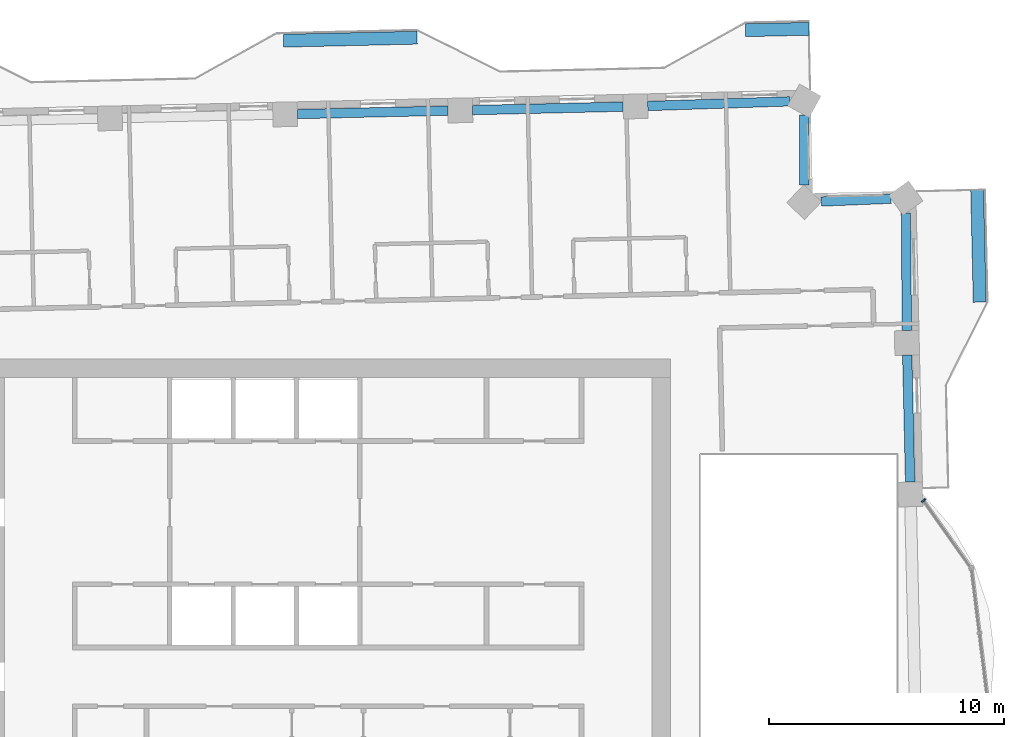
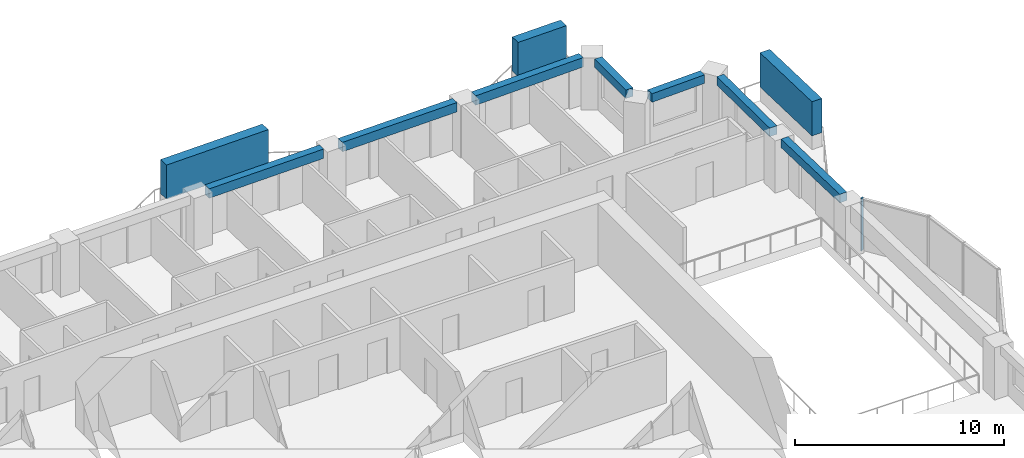
# One storey, part 4 of 17: 7 beams, 4 members, 1 element without a shape of its own.
"""IFC4 building model written with IfcOpenShell, lengths in metres."""

from ifc_helpers import new_model, si_unit, direction, frame, origin, origin_2d, place, context, subcontext, project, spatial, rectangle, extrude, material, material_profile, profile_set, type_object, element, aggregate, save


model = new_model("IFC4")

# Units and contexts
model_context = context("Model", 3, precision=1e-05, world=origin(), true_north=direction((0.0, 1.0)))
body_context = subcontext(model_context, "Body", "Model", "MODEL_VIEW")
ifc_project = project(units=[si_unit("LENGTHUNIT", "METRE"), si_unit("AREAUNIT", "SQUARE_METRE"), si_unit("VOLUMEUNIT", "CUBIC_METRE"), si_unit("PLANEANGLEUNIT", "RADIAN"), si_unit("MASSUNIT", "GRAM", prefix="KILO")], contexts=[model_context])

# Site, building, storey
site_placement = place(None, origin())
site = spatial("IfcSite", under=ifc_project, at=site_placement, CompositionType="ELEMENT")
building_placement = place(site_placement, origin())
building = spatial("IfcBuilding", under=site, at=building_placement, Name="Mangrove Gate Tower", CompositionType="ELEMENT")
storey_placement = place(building_placement, frame((0.0, 0.0, 249.10009765625)))
storey = spatial("IfcBuildingStorey", under=building, at=storey_placement, Name="L63", CompositionType="ELEMENT", Elevation=249.10009765625)

# Curtain wall, member
ifc_material_1 = material(Name="Aluminium and glass curtain wall", Category="aluminium")
curtain_wall_type = type_object("IfcCurtainWallType", Name="Atrium garden-court glazing wall", PredefinedType="NOTDEFINED", material=ifc_material_1)
curtain_wall_placement = place(storey_placement, origin())
curtain_wall = element("IfcCurtainWall", 1, at=curtain_wall_placement, inside=storey, type_object=curtain_wall_type, Name="Atrium garden-court glazing E1f3", PredefinedType="NOTDEFINED")
ifc_material_2 = material(Name="Aluminium alloy 6063-T6", Category="aluminium")
ifc_material_profile_1 = material_profile(ifc_material_2, rectangle(XDim=0.070068359375, YDim=0.199951171875, at=origin_2d()))
ifc_profile_set_1 = profile_set([ifc_material_profile_1], Name="Aluminium alloy 6063-T6")
member_type_1 = type_object("IfcMemberType", Name="Atrium garden-court glazing mullion 70x200", PredefinedType="MULLION", material=ifc_profile_set_1)
member_1_placement = place(storey_placement, frame((25.376708984375, 5.565185546875, 0.0), z_axis=(0.0, 0.0, 1.0), x_axis=(-0.578120908245, 0.815951110944, 0.0)))
member_1 = element("IfcMember", 2, at=member_1_placement, type_object=member_type_1, Name="CWA mullion 2", PredefinedType="MULLION", context=body_context, shape_type="SweptSolid", body=[
    extrude(rectangle(XDim=0.070068359375, YDim=0.199951171875, at=origin_2d()), origin(), (0.0, 0.0, 1.0), 3.0498046875),
])
aggregate(curtain_wall, [member_1])

# Members
ifc_material_3 = material(Name="Planting on aluminium trellis", Category="aluminium")
ifc_material_profile_2 = material_profile(ifc_material_3, rectangle(XDim=0.550048828125, YDim=2.0, at=origin_2d()))
ifc_profile_set_2 = profile_set([ifc_material_profile_2], Name="Planting on aluminium trellis")
member_type_2 = type_object("IfcMemberType", Name="Balcony greenery screen 550x2000", PredefinedType="USERDEFINED", material=ifc_profile_set_2)
member_2_placement = place(storey_placement, frame((27.77099609375, 14.02099609375, 1.7998046875), z_axis=(-0.02268789488, 0.999742596585, 0.0), x_axis=(-0.999742596585, -0.02268789488, 0.0)))
element("IfcMember", 3, at=member_2_placement, inside=storey, type_object=member_type_2, Name="GREEN SCREEN L63 E1.1", ObjectType="PLANTING", PredefinedType="USERDEFINED", context=body_context, shape_type="SweptSolid", body=[
    extrude(rectangle(XDim=0.550048828125, YDim=2.0, at=origin_2d()), origin(), (0.0, 0.0, 1.0), 4.79931640625),
])
member_3_placement = place(storey_placement, frame((-1.908935546875, 25.1650390625, 1.7998046875), z_axis=(0.999744284001, 0.022613416525, 0.0), x_axis=(-0.022613416525, 0.999744284001, 0.0)))
element("IfcMember", 4, at=member_3_placement, inside=storey, type_object=member_type_2, Name="GREEN SCREEN L63 N0.1", ObjectType="PLANTING", PredefinedType="USERDEFINED", context=body_context, shape_type="SweptSolid", body=[
    extrude(rectangle(XDim=0.550048828125, YDim=2.0, at=origin_2d()), origin(), (0.0, 0.0, 1.0), 5.700439453125),
])
member_4_placement = place(storey_placement, frame((17.785888671875, 25.612060546875, 1.7998046875), z_axis=(0.999745364927, 0.022565577937, 0.0), x_axis=(-0.022565577937, 0.999745364927, 0.0)))
element("IfcMember", 5, at=member_4_placement, inside=storey, type_object=member_type_2, Name="GREEN SCREEN L63 N0.2", ObjectType="PLANTING", PredefinedType="USERDEFINED", context=body_context, shape_type="SweptSolid", body=[
    extrude(rectangle(XDim=0.550048828125, YDim=2.0, at=origin_2d()), origin(), (0.0, 0.0, 1.0), 2.704833984375),
])

# Beams
ifc_material_4 = material(Name="Concrete C50/60", Category="concrete")
ifc_material_profile_3 = material_profile(ifc_material_4, rectangle(XDim=0.39990234375, YDim=0.5, at=origin_2d()))
ifc_profile_set_3 = profile_set([ifc_material_profile_3], Name="Concrete C50/60")
beam_type_1 = type_object("IfcBeamType", Name="Edge beam RC 400x500 C50/60", PredefinedType="BEAM", material=ifc_profile_set_3)
beam_1_placement = place(storey_placement, frame((24.80419921875, 6.350830078125, 2.7998046875), z_axis=(-0.022732675659, 0.999741579338, 0.0), x_axis=(-0.999741579338, -0.022732675659, 0.0)))
element("IfcBeam", 6, at=beam_1_placement, inside=storey, type_object=beam_type_1, Name="Edge beam L63 15", PredefinedType="BEAM", context=body_context, shape_type="SweptSolid", body=[
    extrude(rectangle(XDim=0.39990234375, YDim=0.5, at=origin_2d()), origin(), (0.0, 0.0, 1.0), 5.412841796875),
])
beam_2_placement = place(storey_placement, frame((24.6650390625, 12.812255859375, 2.7998046875), z_axis=(-0.007810736151, 0.999969495735, 0.0), x_axis=(-0.999969495735, -0.007810736151, 0.0)))
element("IfcBeam", 7, at=beam_2_placement, inside=storey, type_object=beam_type_1, Name="Edge beam L63 16", PredefinedType="BEAM", context=body_context, shape_type="SweptSolid", body=[
    extrude(rectangle(XDim=0.39990234375, YDim=0.5, at=origin_2d()), origin(), (0.0, 0.0, 1.0), 5.001220703125),
])
beam_3_placement = place(storey_placement, frame((23.99365234375, 18.429443359375, 2.7998046875), z_axis=(-0.999194139835, -0.040138147936, 0.0), x_axis=(0.040138147936, -0.999194139835, 0.0)))
element("IfcBeam", 8, at=beam_3_placement, inside=storey, type_object=beam_type_1, Name="Edge beam L63 17", PredefinedType="BEAM", context=body_context, shape_type="SweptSolid", body=[
    extrude(rectangle(XDim=0.39990234375, YDim=0.5, at=origin_2d()), origin(), (0.0, 0.0, 1.0), 2.98046875),
])
beam_4_placement = place(storey_placement, frame((20.287353515625, 19.005615234375, 2.7998046875), z_axis=(0.001549247978, 0.999998799915, 0.0), x_axis=(-0.999998799915, 0.001549247978, 0.0)))
element("IfcBeam", 9, at=beam_4_placement, inside=storey, type_object=beam_type_1, Name="Edge beam L63 18", PredefinedType="BEAM", context=body_context, shape_type="SweptSolid", body=[
    extrude(rectangle(XDim=0.39990234375, YDim=0.5, at=origin_2d()), origin(), (0.0, 0.0, 1.0), 2.994140625),
])
ifc_material_5 = material(Name="Concrete C50/60", Category="concrete")
ifc_material_profile_4 = material_profile(ifc_material_5, rectangle(XDim=0.39990234375, YDim=0.550048828125, at=origin_2d()))
ifc_profile_set_4 = profile_set([ifc_material_profile_4], Name="Concrete C50/60")
beam_type_2 = type_object("IfcBeamType", Name="Edge beam RC 400x550 C50/60", PredefinedType="BEAM", material=ifc_profile_set_4)
beam_5_placement = place(storey_placement, frame((19.68017578125, 22.58056640625, 2.77490234375), z_axis=(-0.999460172481, -0.032853669866, 0.0), x_axis=(0.032853669866, -0.999460172481, 0.0)))
element("IfcBeam", 10, at=beam_5_placement, inside=storey, type_object=beam_type_2, Name="Edge beam L63 19", PredefinedType="BEAM", context=body_context, shape_type="SweptSolid", body=[
    extrude(rectangle(XDim=0.39990234375, YDim=0.550048828125, at=origin_2d()), origin(), (0.0, 0.0, 1.0), 6.063720703125),
])
for number, where, z_axis, x_axis, name in (
    (11, (12.570068359375, 22.352294921875, 2.77490234375), (-0.999743815265, -0.022634129983, 0.0), (0.022634129983, -0.999743815265, 0.0), "Edge beam L63 20"),
    (12, (5.10400390625, 22.183349609375, 2.77490234375), (-0.999743815265, -0.022634129983, 0.0), (0.022634129983, -0.999743815265, 0.0), "Edge beam L63 21"),
):
    element("IfcBeam", number, at=place(storey_placement, frame(where, z_axis=z_axis, x_axis=x_axis)), inside=storey, type_object=beam_type_2, Name=name, PredefinedType="BEAM", context=body_context, shape_type="SweptSolid", body=[
        extrude(rectangle(XDim=0.39990234375, YDim=0.550048828125, at=origin_2d()), origin(), (0.0, 0.0, 1.0), 6.41796875),
    ])

save(model, "model.ifc")
